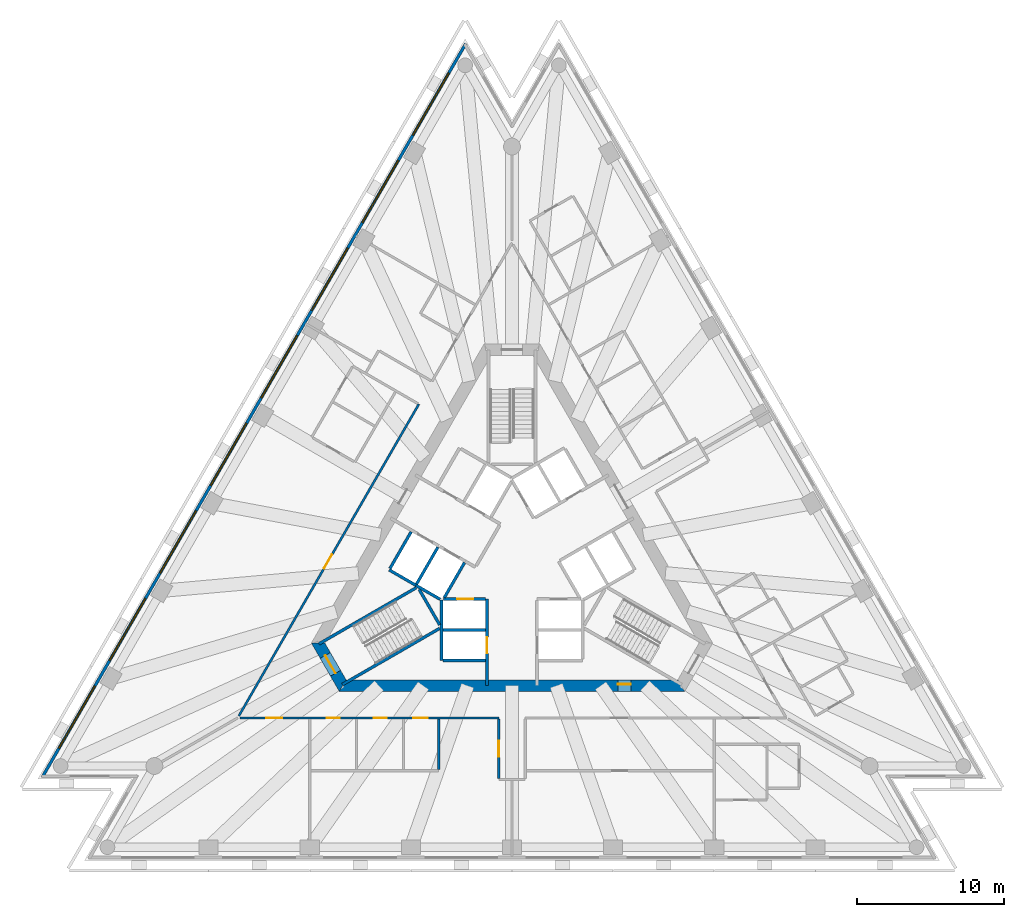
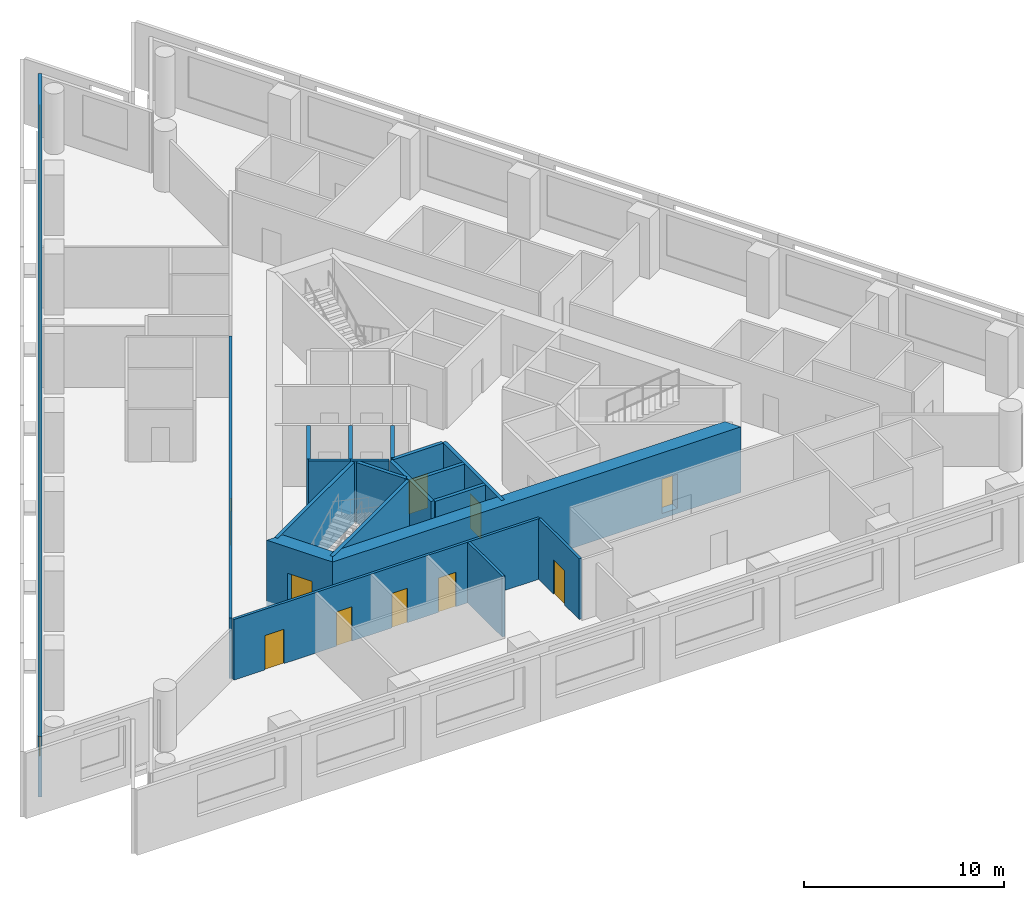
# One storey, part 3 of 10: 20 walls, 10 doors, 8 windows, 18 openings.
"""IFC4 building model written with IfcOpenShell, lengths in metres."""

from ifc_helpers import new_model, si_unit, direction, frame, frame_2d, origin, place, context, subcontext, project, spatial, polyline, rectangle, outline, extrude, material, layer, layer_set, layer_usage, type_object, element, fill, save


model = new_model("IFC4")

# Units and contexts
model_context = context("Model", 3, precision=1e-05, world=origin(), true_north=direction((0.0, 1.0)))
body_context = subcontext(model_context, "Body", "Model", "MODEL_VIEW")
ifc_project = project(units=[si_unit("LENGTHUNIT", "METRE"), si_unit("AREAUNIT", "SQUARE_METRE"), si_unit("VOLUMEUNIT", "CUBIC_METRE"), si_unit("PLANEANGLEUNIT", "RADIAN"), si_unit("MASSUNIT", "GRAM", prefix="KILO")], contexts=[model_context])

# Site, building, storey
site_placement = place(None, origin())
site = spatial("IfcSite", under=ifc_project, at=site_placement, CompositionType="ELEMENT")
building_placement = place(site_placement, origin())
building = spatial("IfcBuilding", under=site, at=building_placement, Name="Triada Interchange Tower", CompositionType="ELEMENT")
storey_placement = place(building_placement, frame((0.0, 0.0, 124.300048828125)))
storey = spatial("IfcBuildingStorey", under=building, at=storey_placement, Name="L28", CompositionType="ELEMENT", Elevation=124.300048828125)

# Walls
ifc_material_1 = material(Name="Concrete C30/37", Category="concrete")
ifc_layer_1 = layer(ifc_material_1, 0.199951171875)
ifc_layer_set_1 = layer_set([ifc_layer_1], Name="CORE WALL 200 EI 120")
wall_type_1 = type_object("IfcWallType", Name="CORE WALL 200 EI 120", PredefinedType="SOLIDWALL", material=ifc_layer_set_1)
wall_1_placement = place(storey_placement, frame((-8.3759765625, -0.70703125, 0.0), z_axis=(0.0, 0.0, 1.0), x_axis=(0.866067520717, -0.499927044236, 0.0)))
element("IfcWall", 1, at=wall_1_placement, inside=storey, type_object=wall_type_1, Name="Wall L26 60", PredefinedType="SOLIDWALL", context=body_context, shape_type="SweptSolid", body=[
    extrude(rectangle(XDim=2.100341796875, YDim=0.199951171875, at=frame_2d((1.05029296875, 0.0))), origin(), (0.0, 0.0, 1.0), 3.699951171875),
])
wall_2_placement = place(storey_placement, frame((-8.325927734375, -0.6201171875, 0.0), z_axis=(0.0, 0.0, 1.0), x_axis=(0.500023687443, 0.866011727401, 0.0)))
element("IfcWall", 2, at=wall_2_placement, inside=storey, type_object=wall_type_1, Name="Wall L26 61", PredefinedType="SOLIDWALL", context=body_context, shape_type="SweptSolid", body=[
    extrude(rectangle(XDim=2.899658203125, YDim=0.199951171875, at=frame_2d((1.44970703125, 0.0))), origin(), (0.0, 0.0, 1.0), 3.699951171875),
])
wall_3_placement = place(storey_placement, frame((-4.699951171875, -4.800048828125, 0.0), z_axis=(0.0, 0.0, 1.0), x_axis=(1.0, 0.0, 0.0)))
element("IfcWall", 3, at=wall_3_placement, inside=storey, type_object=wall_type_1, Name="Wall L26 62", PredefinedType="SOLIDWALL", context=body_context, shape_type="SweptSolid", body=[
    extrude(rectangle(XDim=2.89990234375, YDim=0.199951171875, at=frame_2d((1.449951171875, 0.0))), origin(), (0.0, 0.0, 1.0), 3.699951171875),
])
wall_4_placement = place(storey_placement, frame((-4.800048828125, -6.89990234375, 0.0), z_axis=(0.0, 0.0, 1.0), x_axis=(0.0, 1.0, 0.0)))
element("IfcWall", 4, at=wall_4_placement, inside=storey, type_object=wall_type_1, Name="Wall L26 64", PredefinedType="SOLIDWALL", context=body_context, shape_type="SweptSolid", body=[
    extrude(rectangle(XDim=4.130859375, YDim=0.199951171875, at=frame_2d((2.0654296875, 0.0))), origin(), (0.0, 0.0, 1.0), 3.699951171875),
])
wall_5_placement = place(storey_placement, frame((-4.699951171875, -6.89990234375, 0.0), z_axis=(0.0, 0.0, 1.0), x_axis=(1.0, 0.0, 0.0)))
element("IfcWall", 5, at=wall_5_placement, inside=storey, type_object=wall_type_1, Name="Wall L26 65", PredefinedType="SOLIDWALL", context=body_context, shape_type="SweptSolid", body=[
    extrude(rectangle(XDim=2.89990234375, YDim=0.199951171875, at=frame_2d((1.449951171875, 0.0))), origin(), (0.0, 0.0, 1.0), 3.699951171875),
])

# Wall, opening, door
wall_6_placement = place(storey_placement, frame((-1.699951171875, -8.580078125, 0.0), z_axis=(0.0, 0.0, 1.0), x_axis=(0.0, 1.0, 0.0)))
wall_6 = element("IfcWall", 6, at=wall_6_placement, inside=storey, type_object=wall_type_1, Name="Wall L26 67", PredefinedType="SOLIDWALL", context=body_context, shape_type="SweptSolid", body=[
    extrude(rectangle(XDim=5.877197265625, YDim=0.199951171875, at=frame_2d((2.9384765625, 0.0))), origin(), (0.0, 0.0, 1.0), 3.699951171875),
])
opening_1_placement = place(wall_6_placement, frame((2.179931640625, 0.0, 0.0)))
opening_1 = element("IfcOpeningElement", 7, at=opening_1_placement, cuts=wall_6, Name="Opening LD-LR4", PredefinedType="OPENING", context=body_context, shape_type="SweptSolid", body=[
    extrude(rectangle(XDim=1.10009765625, YDim=2.10009765625, at=frame_2d((0.550048828125, 1.050048828125))), frame((0.0, 0.10986328125, 0.0), z_axis=(0.0, -1.0, 0.0), x_axis=(1.0, 0.0, 0.0)), (0.0, 0.0, 1.0), 0.219970703125),
])
ifc_material_2 = material(Name="Steel S235 door leaf", Category="steel")
door_type_1 = type_object("IfcDoorType", Name="LIFT LANDING DOOR 1100 EI 120", OperationType="SLIDING_TO_LEFT", PredefinedType="DOOR", material=ifc_material_2)
door_1_placement = place(opening_1_placement, origin())
door_1 = element("IfcDoor", 8, at=door_1_placement, inside=storey, type_object=door_type_1, Name="LR4 landing door L28", OperationType="SLIDING_TO_LEFT", OverallHeight=2.10009765625, OverallWidth=1.10009765625, PredefinedType="DOOR", context=body_context, shape_type="SweptSolid", body=[
    extrude(rectangle(XDim=1.10009765625, YDim=2.10009765625, at=frame_2d((0.550048828125, 1.050048828125))), frame((0.0, 0.02490234375, 0.0), z_axis=(0.0, -1.0, 0.0), x_axis=(1.0, 0.0, 0.0)), (0.0, 0.0, 1.0), 0.050048828125),
])
fill(opening_1, door_1)

wall_7_placement = place(storey_placement, frame((-4.676025390625, -2.699951171875, 0.0), z_axis=(0.0, 0.0, 1.0), x_axis=(1.0, 0.0, 0.0)))
wall_7 = element("IfcWall", 9, at=wall_7_placement, inside=storey, type_object=wall_type_1, Name="Wall L26 68", PredefinedType="SOLIDWALL", context=body_context, shape_type="SweptSolid", body=[
    extrude(rectangle(XDim=2.873046875, YDim=0.199951171875, at=frame_2d((1.4365234375, 0.0))), origin(), (0.0, 0.0, 1.0), 3.699951171875),
])
opening_2_placement = place(wall_7_placement, frame((0.93701171875, 0.0, 0.0)))
opening_2 = element("IfcOpeningElement", 10, at=opening_2_placement, cuts=wall_7, Name="Opening LD-LR3", PredefinedType="OPENING", context=body_context, shape_type="SweptSolid", body=[
    extrude(rectangle(XDim=1.10009765625, YDim=2.10009765625, at=frame_2d((0.550048828125, 1.050048828125))), frame((0.0, 0.10986328125, 0.0), z_axis=(0.0, -1.0, 0.0), x_axis=(1.0, 0.0, 0.0)), (0.0, 0.0, 1.0), 0.219970703125),
])
door_2_placement = place(opening_2_placement, origin())
door_2 = element("IfcDoor", 11, at=door_2_placement, inside=storey, type_object=door_type_1, Name="LR3 landing door L28", OperationType="SLIDING_TO_LEFT", OverallHeight=2.10009765625, OverallWidth=1.10009765625, PredefinedType="DOOR", context=body_context, shape_type="SweptSolid", body=[
    extrude(rectangle(XDim=1.10009765625, YDim=2.10009765625, at=frame_2d((0.550048828125, 1.050048828125))), frame((0.0, 0.02490234375, 0.0), z_axis=(0.0, -1.0, 0.0), x_axis=(1.0, 0.0, 0.0)), (0.0, 0.0, 1.0), 0.050048828125),
])
fill(opening_2, door_2)

# Walls
ifc_layer_2 = layer(ifc_material_1, 0.199951171875)
ifc_layer_set_2 = layer_set([ifc_layer_2], Name="CORE WALL 200 EI 180")
wall_type_2 = type_object("IfcWallType", Name="CORE WALL 200 EI 180", PredefinedType="SOLIDWALL", material=ifc_layer_set_2)
wall_8_placement = place(storey_placement, frame((-6.556884765625, -1.757080078125, 0.0), z_axis=(0.0, 0.0, 1.0), x_axis=(0.8659754619, -0.500086491905, 0.0)))
element("IfcWall", 12, at=wall_8_placement, inside=storey, type_object=wall_type_2, Name="Shaft wall FF1 L26 89", PredefinedType="SOLIDWALL", context=body_context, shape_type="SweptSolid", body=[
    extrude(rectangle(XDim=1.915771484375, YDim=0.199951171875, at=frame_2d((0.9580078125, 0.0))), origin(), (0.0, 0.0, 1.0), 3.699951171875),
])
wall_9_placement = place(storey_placement, frame((-6.507080078125, -1.669921875, 0.0), z_axis=(0.0, 0.0, 1.0), x_axis=(0.50012328804, 0.865954211699, 0.0)))
element("IfcWall", 13, at=wall_9_placement, inside=storey, type_object=wall_type_2, Name="Shaft wall FF1 L26 90", PredefinedType="SOLIDWALL", context=body_context, shape_type="SweptSolid", body=[
    extrude(rectangle(XDim=2.899658203125, YDim=0.199951171875, at=frame_2d((1.44970703125, 0.0))), origin(), (0.0, 0.0, 1.0), 3.699951171875),
])
wall_10_placement = place(storey_placement, frame((-4.618896484375, -2.60009765625, 0.0), z_axis=(0.0, 0.0, 1.0), x_axis=(0.50009492287, 0.865970593103, 0.0)))
element("IfcWall", 14, at=wall_10_placement, inside=storey, type_object=wall_type_2, Name="Shaft wall FF1 L26 92", PredefinedType="SOLIDWALL", context=body_context, shape_type="SweptSolid", body=[
    extrude(rectangle(XDim=2.76123046875, YDim=0.199951171875, at=frame_2d((1.380615234375, 0.0))), origin(), (0.0, 0.0, 1.0), 3.699951171875),
])
ifc_layer_3 = layer(ifc_material_1, 0.199951171875)
ifc_layer_set_3 = layer_set([ifc_layer_3], Name="CORE WALL 200 REI 240")
wall_type_3 = type_object("IfcWallType", Name="CORE WALL 200 REI 240", PredefinedType="SOLIDWALL", material=ifc_layer_set_3)
wall_11_placement = place(storey_placement, frame((-13.1669921875, -5.75390625, 0.0), z_axis=(0.0, 0.0, 1.0), x_axis=(0.866060938598, 0.499938446846, 0.0)))
element("IfcWall", 15, at=wall_11_placement, inside=storey, type_object=wall_type_3, Name="Wall L26 97", PredefinedType="SOLIDWALL", context=body_context, shape_type="SweptSolid", body=[
    extrude(rectangle(XDim=7.66455078125, YDim=0.199951171875, at=frame_2d((3.832275390625, 0.0))), origin(), (0.0, 0.0, 1.0), 3.699951171875),
])
wall_12_placement = place(storey_placement, frame((-6.3291015625, -2.0380859375, 0.0), z_axis=(0.0, 0.0, 1.0), x_axis=(0.500200581029, -0.865909567298, 0.0)))
element("IfcWall", 16, at=wall_12_placement, inside=storey, type_object=wall_type_3, Name="Wall L26 98", PredefinedType="SOLIDWALL", context=body_context, shape_type="SweptSolid", body=[
    extrude(rectangle(XDim=2.799072265625, YDim=0.199951171875, at=frame_2d((1.3994140625, 0.0))), origin(), (0.0, 0.0, 1.0), 3.699951171875),
])
wall_13_placement = place(storey_placement, frame((-11.56689453125, -8.52587890625, 0.0), z_axis=(0.0, 0.0, 1.0), x_axis=(0.866005769735, 0.50003400563, 0.0)))
element("IfcWall", 17, at=wall_13_placement, inside=storey, type_object=wall_type_3, Name="Wall L26 99", PredefinedType="SOLIDWALL", context=body_context, shape_type="SweptSolid", body=[
    extrude(rectangle(XDim=7.6650390625, YDim=0.199951171875, at=frame_2d((3.83251953125, 0.0))), origin(), (0.0, 0.0, 1.0), 3.699951171875),
])

# Wall, opening, door
ifc_material_3 = material(Name="Concrete C60/75", Category="concrete")
ifc_layer_4 = layer(ifc_material_3, 0.800048828125)
ifc_layer_set_4 = layer_set([ifc_layer_4], Name="Core wall B 800")
wall_type_4 = type_object("IfcWallType", Name="Core wall B 800", PredefinedType="SHEAR", material=ifc_layer_set_4)
wall_14_placement = place(storey_placement, frame((-13.220947265625, -5.699951171875, -0.300048828125), z_axis=(0.0, 0.0, 1.0), x_axis=(0.49987182685, -0.866099391942, 0.0)))
wall_14 = element("IfcWall", 18, at=wall_14_placement, inside=storey, type_object=wall_type_4, Name="Core wall WB03 L28", PredefinedType="SHEAR", context=body_context, shape_type="SweptSolid", body=[
    extrude(outline(polyline([(-0.23095703125, -0.39990234375), (1.674072265625, -0.39990234375), (3.5791015625, -0.39990234375), (3.117919921875, 0.39990234375), (1.67431640625, 0.39990234375), (0.23095703125, 0.39990234375), (-0.23095703125, -0.39990234375)])), origin(), (0.0, 0.0, 1.0), 4.0),
])
opening_3_placement = place(wall_14_placement, frame((0.97412109375, 0.0, 0.300048828125)))
opening_3 = element("IfcOpeningElement", 19, at=opening_3_placement, cuts=wall_14, Name="Opening D26-42", PredefinedType="OPENING", context=body_context, shape_type="SweptSolid", body=[
    extrude(rectangle(XDim=1.39990234375, YDim=2.10009765625, at=frame_2d((0.699951171875, 1.050048828125))), frame((0.0, 0.409912109375, 0.0), z_axis=(0.0, -1.0, 0.0), x_axis=(1.0, 0.0, 0.0)), (0.0, 0.0, 1.0), 0.820068359375),
])
door_type_2 = type_object("IfcDoorType", Name="STAIR DOOR 1400 EI2 90-C5S200", OperationType="DOUBLE_DOOR_SINGLE_SWING", PredefinedType="DOOR", material=ifc_material_2)
door_3_placement = place(opening_3_placement, origin())
door_3 = element("IfcDoor", 20, at=door_3_placement, inside=storey, type_object=door_type_2, Name="Door D26-42 L28", OperationType="DOUBLE_DOOR_SINGLE_SWING", OverallHeight=2.10009765625, OverallWidth=1.39990234375, PredefinedType="DOOR", context=body_context, shape_type="SweptSolid", body=[
    extrude(rectangle(XDim=1.39990234375, YDim=2.10009765625, at=frame_2d((0.699951171875, 1.050048828125))), frame((0.0, 0.02490234375, 0.0), z_axis=(0.0, -1.0, 0.0), x_axis=(1.0, 0.0, 0.0)), (0.0, 0.0, 1.0), 0.050048828125),
])
fill(opening_3, door_3)

wall_15_placement = place(storey_placement, frame((-11.547119140625, -8.60009765625, -0.300048828125), z_axis=(0.0, 0.0, 1.0), x_axis=(1.0, 0.0, 0.0)))
wall_15 = element("IfcWall", 21, at=wall_15_placement, inside=storey, type_object=wall_type_4, Name="Core wall WB04 L28", PredefinedType="SHEAR", context=body_context, shape_type="SweptSolid", body=[
    extrude(outline(polyline([(-0.23095703125, -0.39990234375), (1.73193359375, -0.39990234375), (3.695068359375, -0.39990234375), (5.657958984375, -0.39990234375), (7.62109375, -0.39990234375), (9.583984375, -0.39990234375), (11.546875, -0.39990234375), (13.510009765625, -0.39990234375), (15.472900390625, -0.39990234375), (17.43603515625, -0.39990234375), (19.39892578125, -0.39990234375), (21.362060546875, -0.39990234375), (23.324951171875, -0.39990234375), (22.863037109375, 0.39990234375), (20.97705078125, 0.39990234375), (19.091064453125, 0.39990234375), (17.205078125, 0.39990234375), (15.319091796875, 0.39990234375), (13.43310546875, 0.39990234375), (11.546875, 0.39990234375), (9.660888671875, 0.39990234375), (7.77490234375, 0.39990234375), (5.888916015625, 0.39990234375), (4.0029296875, 0.39990234375), (2.116943359375, 0.39990234375), (0.23095703125, 0.39990234375), (-0.23095703125, -0.39990234375)])), origin(), (0.0, 0.0, 1.0), 4.0),
])
opening_4_placement = place(wall_15_placement, frame((18.760009765625, 0.0, 0.300048828125)))
opening_4 = element("IfcOpeningElement", 22, at=opening_4_placement, cuts=wall_15, Name="Opening D26-45", PredefinedType="OPENING", context=body_context, shape_type="SweptSolid", body=[
    extrude(rectangle(XDim=0.89990234375, YDim=2.10009765625, at=frame_2d((0.449951171875, 1.050048828125))), frame((0.0, 0.409912109375, 0.0), z_axis=(0.0, -1.0, 0.0), x_axis=(1.0, 0.0, 0.0)), (0.0, 0.0, 1.0), 0.820068359375),
])
door_type_3 = type_object("IfcDoorType", Name="SERVICE DOOR 900 EI2 45-C5S200", OperationType="NOTDEFINED", PredefinedType="DOOR", material=ifc_material_2)
door_4_placement = place(opening_4_placement, origin())
door_4 = element("IfcDoor", 23, at=door_4_placement, inside=storey, type_object=door_type_3, Name="Door D26-45 L28", OperationType="SINGLE_SWING_LEFT", OverallHeight=2.10009765625, OverallWidth=0.89990234375, PredefinedType="DOOR", context=body_context, shape_type="SweptSolid", body=[
    extrude(rectangle(XDim=0.89990234375, YDim=2.10009765625, at=frame_2d((0.449951171875, 1.050048828125))), frame((0.0, 0.125, 0.0), z_axis=(0.0, -1.0, 0.0), x_axis=(1.0, 0.0, 0.0)), (0.0, 0.0, 1.0), 0.050048828125),
])
fill(opening_4, door_4)

# Wall, openings, windows
ifc_material_4 = material(Name="Cement board")
ifc_layer_5 = layer(ifc_material_4, 0.02001953125, Name="Cement board cladding")
ifc_material_5 = material(Name="Sheathing board")
ifc_layer_6 = layer(ifc_material_5, 0.014892578125, Name="Sheathing board")
ifc_material_6 = material(Name="Mineral wool")
ifc_layer_7 = layer(ifc_material_6, 0.14990234375, Name="Mineral wool between steel studs")
ifc_material_7 = material(Name="Gypsum board")
ifc_layer_8 = layer(ifc_material_7, 0.014892578125, Name="Plasterboard lining")
ifc_layer_set_5 = layer_set([ifc_layer_5, ifc_layer_6, ifc_layer_7, ifc_layer_8], Name="External wall 200")
ifc_layer_usage = layer_usage(ifc_layer_set_5, "AXIS2", "POSITIVE", -0.10009765625)
wall_type_5 = type_object("IfcWallType", Name="External wall 200", PredefinedType="ELEMENTEDWALL", material=ifc_layer_set_5)
wall_16_placement = place(storey_placement, frame((-3.154052734375, 35.18505859375, 0.0), z_axis=(0.0, 0.0, 1.0), x_axis=(-0.499996704161, -0.866027306629, 0.0)))
wall_16 = element("IfcWall", 24, at=wall_16_placement, inside=storey, type_object=wall_type_5, material=ifc_layer_usage, Name="External wall L28 NW", PredefinedType="ELEMENTEDWALL", context=body_context, shape_type="SweptSolid", body=[
    extrude(rectangle(XDim=57.7685546875, YDim=0.199951171875, at=frame_2d((28.88427734375, 0.0))), origin(), (0.0, 0.0, 1.0), 3.699951171875),
])
opening_5_placement = place(wall_16_placement, frame((2.301025390625, 0.0, 0.89990234375)))
opening_5 = element("IfcOpeningElement", 25, at=opening_5_placement, cuts=wall_16, Name="Opening WB01", PredefinedType="OPENING", context=body_context, shape_type="SweptSolid", body=[
    extrude(rectangle(XDim=4.89990234375, YDim=2.5, at=frame_2d((2.449951171875, 1.25))), frame((0.0, 0.10986328125, 0.0), z_axis=(0.0, -1.0, 0.0), x_axis=(1.0, 0.0, 0.0)), (0.0, 0.0, 1.0), 0.219970703125),
])
opening_6_placement = place(wall_16_placement, frame((9.198974609375, 0.0, 0.89990234375)))
opening_6 = element("IfcOpeningElement", 26, at=opening_6_placement, cuts=wall_16, Name="Opening WB02", PredefinedType="OPENING", context=body_context, shape_type="SweptSolid", body=[
    extrude(rectangle(XDim=4.89990234375, YDim=2.5, at=frame_2d((2.449951171875, 1.25))), frame((0.0, 0.10986328125, 0.0), z_axis=(0.0, -1.0, 0.0), x_axis=(1.0, 0.0, 0.0)), (0.0, 0.0, 1.0), 0.219970703125),
])
opening_7_placement = place(wall_16_placement, frame((16.096923828125, 0.0, 0.89990234375)))
opening_7 = element("IfcOpeningElement", 27, at=opening_7_placement, cuts=wall_16, Name="Opening WB03", PredefinedType="OPENING", context=body_context, shape_type="SweptSolid", body=[
    extrude(rectangle(XDim=4.89990234375, YDim=2.5, at=frame_2d((2.449951171875, 1.25))), frame((0.0, 0.10986328125, 0.0), z_axis=(0.0, -1.0, 0.0), x_axis=(1.0, 0.0, 0.0)), (0.0, 0.0, 1.0), 0.219970703125),
])
opening_8_placement = place(wall_16_placement, frame((22.9951171875, 0.0, 0.89990234375)))
opening_8 = element("IfcOpeningElement", 28, at=opening_8_placement, cuts=wall_16, Name="Opening WB04", PredefinedType="OPENING", context=body_context, shape_type="SweptSolid", body=[
    extrude(rectangle(XDim=4.89990234375, YDim=2.5, at=frame_2d((2.449951171875, 1.25))), frame((0.0, 0.10986328125, 0.0), z_axis=(0.0, -1.0, 0.0), x_axis=(1.0, 0.0, 0.0)), (0.0, 0.0, 1.0), 0.219970703125),
])
opening_9_placement = place(wall_16_placement, frame((29.89306640625, 0.0, 0.89990234375)))
opening_9 = element("IfcOpeningElement", 29, at=opening_9_placement, cuts=wall_16, Name="Opening WB05", PredefinedType="OPENING", context=body_context, shape_type="SweptSolid", body=[
    extrude(rectangle(XDim=4.89990234375, YDim=2.5, at=frame_2d((2.449951171875, 1.25))), frame((0.0, 0.10986328125, 0.0), z_axis=(0.0, -1.0, 0.0), x_axis=(1.0, 0.0, 0.0)), (0.0, 0.0, 1.0), 0.219970703125),
])
opening_10_placement = place(wall_16_placement, frame((36.791015625, 0.0, 0.89990234375)))
opening_10 = element("IfcOpeningElement", 30, at=opening_10_placement, cuts=wall_16, Name="Opening WB06", PredefinedType="OPENING", context=body_context, shape_type="SweptSolid", body=[
    extrude(rectangle(XDim=4.89990234375, YDim=2.5, at=frame_2d((2.449951171875, 1.25))), frame((0.0, 0.10986328125, 0.0), z_axis=(0.0, -1.0, 0.0), x_axis=(1.0, 0.0, 0.0)), (0.0, 0.0, 1.0), 0.219970703125),
])
opening_11_placement = place(wall_16_placement, frame((43.68896484375, 0.0, 0.89990234375)))
opening_11 = element("IfcOpeningElement", 31, at=opening_11_placement, cuts=wall_16, Name="Opening WB07", PredefinedType="OPENING", context=body_context, shape_type="SweptSolid", body=[
    extrude(rectangle(XDim=4.89990234375, YDim=2.5, at=frame_2d((2.449951171875, 1.25))), frame((0.0, 0.10986328125, 0.0), z_axis=(0.0, -1.0, 0.0), x_axis=(1.0, 0.0, 0.0)), (0.0, 0.0, 1.0), 0.219970703125),
])
opening_12_placement = place(wall_16_placement, frame((50.5859375, 0.0, 0.89990234375)))
opening_12 = element("IfcOpeningElement", 32, at=opening_12_placement, cuts=wall_16, Name="Opening WB08", PredefinedType="OPENING", context=body_context, shape_type="SweptSolid", body=[
    extrude(rectangle(XDim=4.89990234375, YDim=2.5, at=frame_2d((2.449951171875, 1.25))), frame((0.0, 0.10986328125, 0.0), z_axis=(0.0, -1.0, 0.0), x_axis=(1.0, 0.0, 0.0)), (0.0, 0.0, 1.0), 0.219970703125),
])
ifc_material_8 = material(Name="Double glazed aluminium window", Category="aluminium")
window_type = type_object("IfcWindowType", Name="Ribbon window B face", PartitioningType="SINGLE_PANEL", PredefinedType="WINDOW", material=ifc_material_8)
window_1_placement = place(opening_5_placement, origin())
window_1 = element("IfcWindow", 33, at=window_1_placement, inside=storey, type_object=window_type, Name="Window L28 NW 1", OverallHeight=2.5, OverallWidth=4.89990234375, PartitioningType="SINGLE_PANEL", PredefinedType="WINDOW", context=body_context, shape_type="SweptSolid", body=[
    extrude(rectangle(XDim=4.89990234375, YDim=2.5, at=frame_2d((2.449951171875, 1.25))), frame((0.0, 0.030029296875, 0.0), z_axis=(0.0, -1.0, 0.0), x_axis=(1.0, 0.0, 0.0)), (0.0, 0.0, 1.0), 0.06005859375),
])
fill(opening_5, window_1)
window_2_placement = place(opening_6_placement, origin())
window_2 = element("IfcWindow", 34, at=window_2_placement, inside=storey, type_object=window_type, Name="Window L28 NW 2", OverallHeight=2.5, OverallWidth=4.89990234375, PartitioningType="SINGLE_PANEL", PredefinedType="WINDOW", context=body_context, shape_type="SweptSolid", body=[
    extrude(rectangle(XDim=4.89990234375, YDim=2.5, at=frame_2d((2.449951171875, 1.25))), frame((0.0, 0.030029296875, 0.0), z_axis=(0.0, -1.0, 0.0), x_axis=(1.0, 0.0, 0.0)), (0.0, 0.0, 1.0), 0.06005859375),
])
fill(opening_6, window_2)
window_3_placement = place(opening_7_placement, origin())
window_3 = element("IfcWindow", 35, at=window_3_placement, inside=storey, type_object=window_type, Name="Window L28 NW 3", OverallHeight=2.5, OverallWidth=4.89990234375, PartitioningType="SINGLE_PANEL", PredefinedType="WINDOW", context=body_context, shape_type="SweptSolid", body=[
    extrude(rectangle(XDim=4.89990234375, YDim=2.5, at=frame_2d((2.449951171875, 1.25))), frame((0.0, 0.030029296875, 0.0), z_axis=(0.0, -1.0, 0.0), x_axis=(1.0, 0.0, 0.0)), (0.0, 0.0, 1.0), 0.06005859375),
])
fill(opening_7, window_3)
window_4_placement = place(opening_8_placement, origin())
window_4 = element("IfcWindow", 36, at=window_4_placement, inside=storey, type_object=window_type, Name="Window L28 NW 4", OverallHeight=2.5, OverallWidth=4.89990234375, PartitioningType="SINGLE_PANEL", PredefinedType="WINDOW", context=body_context, shape_type="SweptSolid", body=[
    extrude(rectangle(XDim=4.89990234375, YDim=2.5, at=frame_2d((2.449951171875, 1.25))), frame((0.0, 0.030029296875, 0.0), z_axis=(0.0, -1.0, 0.0), x_axis=(1.0, 0.0, 0.0)), (0.0, 0.0, 1.0), 0.06005859375),
])
fill(opening_8, window_4)
window_5_placement = place(opening_9_placement, origin())
window_5 = element("IfcWindow", 37, at=window_5_placement, inside=storey, type_object=window_type, Name="Window L28 NW 5", OverallHeight=2.5, OverallWidth=4.89990234375, PartitioningType="SINGLE_PANEL", PredefinedType="WINDOW", context=body_context, shape_type="SweptSolid", body=[
    extrude(rectangle(XDim=4.89990234375, YDim=2.5, at=frame_2d((2.449951171875, 1.25))), frame((0.0, 0.030029296875, 0.0), z_axis=(0.0, -1.0, 0.0), x_axis=(1.0, 0.0, 0.0)), (0.0, 0.0, 1.0), 0.06005859375),
])
fill(opening_9, window_5)
window_6_placement = place(opening_10_placement, origin())
window_6 = element("IfcWindow", 38, at=window_6_placement, inside=storey, type_object=window_type, Name="Window L28 NW 6", OverallHeight=2.5, OverallWidth=4.89990234375, PartitioningType="SINGLE_PANEL", PredefinedType="WINDOW", context=body_context, shape_type="SweptSolid", body=[
    extrude(rectangle(XDim=4.89990234375, YDim=2.5, at=frame_2d((2.449951171875, 1.25))), frame((0.0, 0.030029296875, 0.0), z_axis=(0.0, -1.0, 0.0), x_axis=(1.0, 0.0, 0.0)), (0.0, 0.0, 1.0), 0.06005859375),
])
fill(opening_10, window_6)
window_7_placement = place(opening_11_placement, origin())
window_7 = element("IfcWindow", 39, at=window_7_placement, inside=storey, type_object=window_type, Name="Window L28 NW 7", OverallHeight=2.5, OverallWidth=4.89990234375, PartitioningType="SINGLE_PANEL", PredefinedType="WINDOW", context=body_context, shape_type="SweptSolid", body=[
    extrude(rectangle(XDim=4.89990234375, YDim=2.5, at=frame_2d((2.449951171875, 1.25))), frame((0.0, 0.030029296875, 0.0), z_axis=(0.0, -1.0, 0.0), x_axis=(1.0, 0.0, 0.0)), (0.0, 0.0, 1.0), 0.06005859375),
])
fill(opening_11, window_7)
window_8_placement = place(opening_12_placement, origin())
window_8 = element("IfcWindow", 40, at=window_8_placement, inside=storey, type_object=window_type, Name="Window L28 NW 8", OverallHeight=2.5, OverallWidth=4.89990234375, PartitioningType="SINGLE_PANEL", PredefinedType="WINDOW", context=body_context, shape_type="SweptSolid", body=[
    extrude(rectangle(XDim=4.89990234375, YDim=2.5, at=frame_2d((2.449951171875, 1.25))), frame((0.0, 0.030029296875, 0.0), z_axis=(0.0, -1.0, 0.0), x_axis=(1.0, 0.0, 0.0)), (0.0, 0.0, 1.0), 0.06005859375),
])
fill(opening_12, window_8)

# Wall, openings, doors
ifc_material_9 = material(Name="Gypsum board partition")
ifc_layer_9 = layer(ifc_material_9, 0.14990234375)
ifc_layer_set_6 = layer_set([ifc_layer_9], Name="PARTITION 150 EI 180")
wall_type_6 = type_object("IfcWallType", Name="PARTITION 150 EI 180", PredefinedType="PARTITIONING", material=ifc_layer_set_6)
wall_17_placement = place(storey_placement, frame((-18.554931640625, -10.800048828125, 0.0), z_axis=(0.0, 0.0, 1.0), x_axis=(1.0, 0.0, 0.0)))
wall_17 = element("IfcWall", 41, at=wall_17_placement, inside=storey, type_object=wall_type_6, Name="Wall L26 3", PredefinedType="PARTITIONING", context=body_context, shape_type="SweptSolid", body=[
    extrude(rectangle(XDim=17.654052734375, YDim=0.14990234375, at=frame_2d((8.8271484375, 0.0))), origin(), (0.0, 0.0, 1.0), 3.699951171875),
])
opening_13_placement = place(wall_17_placement, frame((1.800048828125, 0.0, 0.0)))
opening_13 = element("IfcOpeningElement", 42, at=opening_13_placement, cuts=wall_17, Name="Opening D26-11", PredefinedType="OPENING", context=body_context, shape_type="SweptSolid", body=[
    extrude(rectangle(XDim=1.10009765625, YDim=2.10009765625, at=frame_2d((0.550048828125, 1.050048828125))), frame((0.0, 0.0849609375, 0.0), z_axis=(0.0, -1.0, 0.0), x_axis=(1.0, 0.0, 0.0)), (0.0, 0.0, 1.0), 0.169921875),
])
opening_14_placement = place(wall_17_placement, frame((5.908935546875, 0.0, 0.0)))
opening_14 = element("IfcOpeningElement", 43, at=opening_14_placement, cuts=wall_17, Name="Opening D26-13", PredefinedType="OPENING", context=body_context, shape_type="SweptSolid", body=[
    extrude(rectangle(XDim=0.89990234375, YDim=2.10009765625, at=frame_2d((0.449951171875, 1.050048828125))), frame((0.0, 0.0849609375, 0.0), z_axis=(0.0, -1.0, 0.0), x_axis=(1.0, 0.0, 0.0)), (0.0, 0.0, 1.0), 0.169921875),
])
opening_15_placement = place(wall_17_placement, frame((9.10888671875, 0.0, 0.0)))
opening_15 = element("IfcOpeningElement", 44, at=opening_15_placement, cuts=wall_17, Name="Opening D26-14", PredefinedType="OPENING", context=body_context, shape_type="SweptSolid", body=[
    extrude(rectangle(XDim=0.89990234375, YDim=2.10009765625, at=frame_2d((0.449951171875, 1.050048828125))), frame((0.0, 0.0849609375, 0.0), z_axis=(0.0, -1.0, 0.0), x_axis=(1.0, 0.0, 0.0)), (0.0, 0.0, 1.0), 0.169921875),
])
opening_16_placement = place(wall_17_placement, frame((11.80908203125, 0.0, 0.0)))
opening_16 = element("IfcOpeningElement", 45, at=opening_16_placement, cuts=wall_17, Name="Opening D26-15", PredefinedType="OPENING", context=body_context, shape_type="SweptSolid", body=[
    extrude(rectangle(XDim=1.0, YDim=2.10009765625, at=frame_2d((0.5, 1.050048828125))), frame((0.0, 0.0849609375, 0.0), z_axis=(0.0, -1.0, 0.0), x_axis=(1.0, 0.0, 0.0)), (0.0, 0.0, 1.0), 0.169921875),
])
door_type_4 = type_object("IfcDoorType", Name="ROOM DOOR 1000 EI2 90-C5S200", OperationType="NOTDEFINED", PredefinedType="DOOR", material=ifc_material_2)
door_5_placement = place(opening_16_placement, origin())
door_5 = element("IfcDoor", 46, at=door_5_placement, inside=storey, type_object=door_type_4, Name="Door D26-15 L28", OperationType="SINGLE_SWING_LEFT", OverallHeight=2.10009765625, OverallWidth=1.0, PredefinedType="DOOR", context=body_context, shape_type="SweptSolid", body=[
    extrude(rectangle(XDim=1.0, YDim=2.10009765625, at=frame_2d((0.5, 1.050048828125))), frame((0.0, 0.02490234375, 0.0), z_axis=(0.0, -1.0, 0.0), x_axis=(1.0, 0.0, 0.0)), (0.0, 0.0, 1.0), 0.050048828125),
])
fill(opening_16, door_5)
door_type_5 = type_object("IfcDoorType", Name="ROOM DOOR 900 EI2 90-C5S200", OperationType="NOTDEFINED", PredefinedType="DOOR", material=ifc_material_2)
door_6_placement = place(opening_14_placement, origin())
door_6 = element("IfcDoor", 47, at=door_6_placement, inside=storey, type_object=door_type_5, Name="Door D26-13 L28", OperationType="SINGLE_SWING_RIGHT", OverallHeight=2.10009765625, OverallWidth=0.89990234375, PredefinedType="DOOR", context=body_context, shape_type="SweptSolid", body=[
    extrude(rectangle(XDim=0.89990234375, YDim=2.10009765625, at=frame_2d((0.449951171875, 1.050048828125))), frame((0.0, 0.02490234375, 0.0), z_axis=(0.0, -1.0, 0.0), x_axis=(1.0, 0.0, 0.0)), (0.0, 0.0, 1.0), 0.050048828125),
])
fill(opening_14, door_6)
door_7_placement = place(opening_15_placement, origin())
door_7 = element("IfcDoor", 48, at=door_7_placement, inside=storey, type_object=door_type_5, Name="Door D26-14 L28", OperationType="SINGLE_SWING_RIGHT", OverallHeight=2.10009765625, OverallWidth=0.89990234375, PredefinedType="DOOR", context=body_context, shape_type="SweptSolid", body=[
    extrude(rectangle(XDim=0.89990234375, YDim=2.10009765625, at=frame_2d((0.449951171875, 1.050048828125))), frame((0.0, 0.02490234375, 0.0), z_axis=(0.0, -1.0, 0.0), x_axis=(1.0, 0.0, 0.0)), (0.0, 0.0, 1.0), 0.050048828125),
])
fill(opening_15, door_7)
door_type_6 = type_object("IfcDoorType", Name="TENANCY ENTRANCE DOOR 1100 EI2 90-C5S200", OperationType="NOTDEFINED", PredefinedType="DOOR", material=ifc_material_2)
door_8_placement = place(opening_13_placement, origin())
door_8 = element("IfcDoor", 49, at=door_8_placement, inside=storey, type_object=door_type_6, Name="Door D26-11 L28", OperationType="SINGLE_SWING_RIGHT", OverallHeight=2.10009765625, OverallWidth=1.10009765625, PredefinedType="DOOR", context=body_context, shape_type="SweptSolid", body=[
    extrude(rectangle(XDim=1.10009765625, YDim=2.10009765625, at=frame_2d((0.550048828125, 1.050048828125))), frame((0.0, 0.02490234375, 0.0), z_axis=(0.0, -1.0, 0.0), x_axis=(1.0, 0.0, 0.0)), (0.0, 0.0, 1.0), 0.050048828125),
])
fill(opening_13, door_8)

# Wall, opening, door
wall_18_placement = place(storey_placement, frame((-18.631103515625, -10.669921875, 0.0), z_axis=(0.0, 0.0, 1.0), x_axis=(0.499981532133, 0.86603606595, 0.0)))
wall_18 = element("IfcWall", 50, at=wall_18_placement, inside=storey, type_object=wall_type_6, Name="Wall L26 5", PredefinedType="PARTITIONING", context=body_context, shape_type="SweptSolid", body=[
    extrude(rectangle(XDim=24.55322265625, YDim=0.14990234375, at=frame_2d((12.276611328125, 0.0))), origin(), (0.0, 0.0, 1.0), 3.699951171875),
])
opening_17_placement = place(wall_18_placement, frame((11.60400390625, 0.0, 0.0)))
opening_17 = element("IfcOpeningElement", 51, at=opening_17_placement, cuts=wall_18, Name="Opening D26-37", PredefinedType="OPENING", context=body_context, shape_type="SweptSolid", body=[
    extrude(rectangle(XDim=1.10009765625, YDim=2.10009765625, at=frame_2d((0.550048828125, 1.050048828125))), frame((0.0, 0.0849609375, 0.0), z_axis=(0.0, -1.0, 0.0), x_axis=(1.0, 0.0, 0.0)), (0.0, 0.0, 1.0), 0.169921875),
])
door_9_placement = place(opening_17_placement, origin())
door_9 = element("IfcDoor", 52, at=door_9_placement, inside=storey, type_object=door_type_6, Name="Door D26-37 L28", OperationType="SINGLE_SWING_LEFT", OverallHeight=2.10009765625, OverallWidth=1.10009765625, PredefinedType="DOOR", context=body_context, shape_type="SweptSolid", body=[
    extrude(rectangle(XDim=1.10009765625, YDim=2.10009765625, at=frame_2d((0.550048828125, 1.050048828125))), frame((0.0, 0.02490234375, 0.0), z_axis=(0.0, -1.0, 0.0), x_axis=(1.0, 0.0, 0.0)), (0.0, 0.0, 1.0), 0.050048828125),
])
fill(opening_17, door_9)

# Wall
wall_19_placement = place(storey_placement, frame((-4.99609375, -14.324951171875, 0.0), z_axis=(0.0, 0.0, 1.0), x_axis=(0.0, 1.0, 0.0)))
element("IfcWall", 53, at=wall_19_placement, inside=storey, type_object=wall_type_6, Name="Wall L26 15", PredefinedType="PARTITIONING", context=body_context, shape_type="SweptSolid", body=[
    extrude(rectangle(XDim=3.449951171875, YDim=0.14990234375, at=frame_2d((1.72509765625, 0.0))), origin(), (0.0, 0.0, 1.0), 3.699951171875),
])

# Wall, opening, door
wall_20_placement = place(storey_placement, frame((-0.89990234375, -14.925048828125, 0.0), z_axis=(0.0, 0.0, 1.0), x_axis=(0.0, 1.0, 0.0)))
wall_20 = element("IfcWall", 54, at=wall_20_placement, inside=storey, type_object=wall_type_6, Name="Wall L26 20", PredefinedType="PARTITIONING", context=body_context, shape_type="SweptSolid", body=[
    extrude(rectangle(XDim=4.049072265625, YDim=0.14990234375, at=frame_2d((2.0244140625, 0.0))), origin(), (0.0, 0.0, 1.0), 3.699951171875),
])
opening_18_placement = place(wall_20_placement, frame((1.47509765625, 0.0, 0.0)))
opening_18 = element("IfcOpeningElement", 55, at=opening_18_placement, cuts=wall_20, Name="Opening D26-12", PredefinedType="OPENING", context=body_context, shape_type="SweptSolid", body=[
    extrude(rectangle(XDim=1.10009765625, YDim=2.10009765625, at=frame_2d((0.550048828125, 1.050048828125))), frame((0.0, 0.0849609375, 0.0), z_axis=(0.0, -1.0, 0.0), x_axis=(1.0, 0.0, 0.0)), (0.0, 0.0, 1.0), 0.169921875),
])
door_10_placement = place(opening_18_placement, origin())
door_10 = element("IfcDoor", 56, at=door_10_placement, inside=storey, type_object=door_type_6, Name="Door D26-12 L28", OperationType="SINGLE_SWING_LEFT", OverallHeight=2.10009765625, OverallWidth=1.10009765625, PredefinedType="DOOR", context=body_context, shape_type="SweptSolid", body=[
    extrude(rectangle(XDim=1.10009765625, YDim=2.10009765625, at=frame_2d((0.550048828125, 1.050048828125))), frame((0.0, 0.02490234375, 0.0), z_axis=(0.0, -1.0, 0.0), x_axis=(1.0, 0.0, 0.0)), (0.0, 0.0, 1.0), 0.050048828125),
])
fill(opening_18, door_10)

save(model, "model.ifc")
